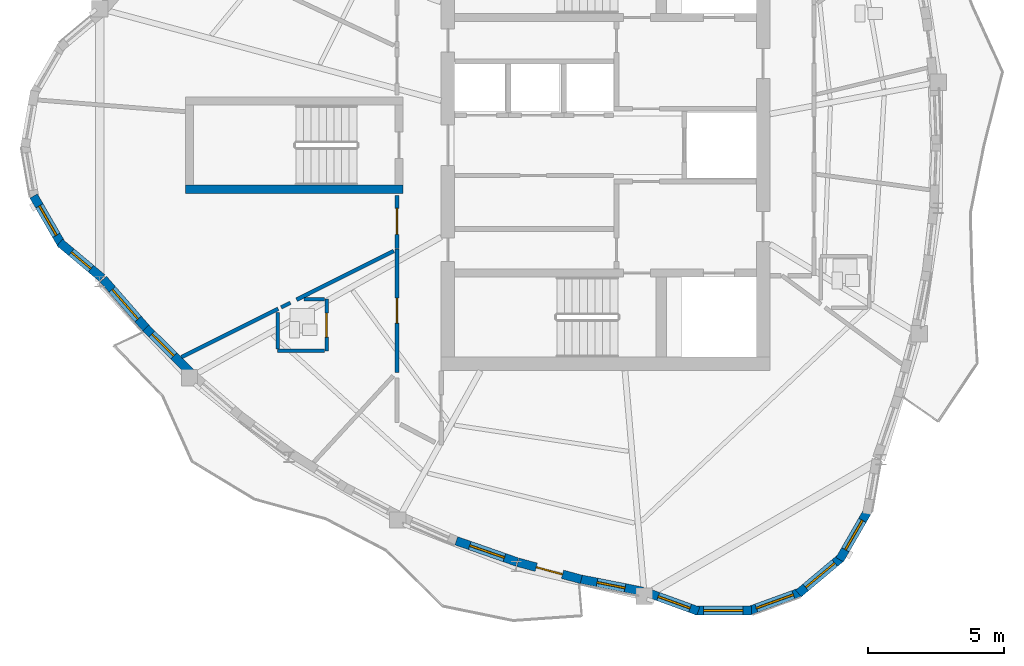
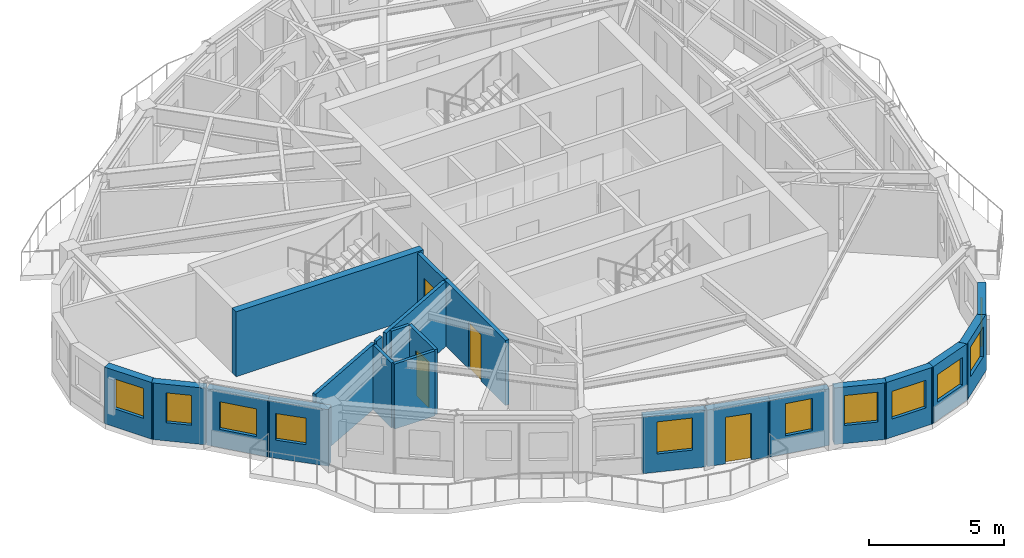
# One storey, part 3 of 12: 22 walls, 11 windows, 4 doors, 15 openings.
"""IFC4 building model written with IfcOpenShell, lengths in metres."""

from ifc_helpers import new_model, si_unit, direction, frame, frame_2d, origin, place, context, subcontext, project, spatial, rectangle, extrude, source, transform, mapped, material, layer, layer_set, type_object, element, fill, save


model = new_model("IFC4")

# Units and contexts
model_context = context("Model", 3, precision=1e-05, world=origin(), true_north=direction((0.0, 1.0)))
body_context = subcontext(model_context, "Body", "Model", "MODEL_VIEW")
ifc_project = project(units=[si_unit("LENGTHUNIT", "METRE"), si_unit("AREAUNIT", "SQUARE_METRE"), si_unit("VOLUMEUNIT", "CUBIC_METRE"), si_unit("PLANEANGLEUNIT", "RADIAN"), si_unit("MASSUNIT", "GRAM", prefix="KILO")], contexts=[model_context])

# Site, building, storey
site_placement = place(None, origin())
site = spatial("IfcSite", under=ifc_project, at=site_placement, CompositionType="ELEMENT")
building_placement = place(site_placement, origin())
building = spatial("IfcBuilding", under=site, at=building_placement, Name="Qafzar Sky-Pleat Residences", CompositionType="ELEMENT")
storey_placement = place(building_placement, frame((0.0, 0.0, 202.0)))
storey = spatial("IfcBuildingStorey", under=building, at=storey_placement, Name="L60", CompositionType="ELEMENT", Elevation=202.0)

# Wall, opening, door
ifc_material_1 = material(Name="Acoustic gypsum plasterboard partition", Category="gypsum")
ifc_layer_1 = layer(ifc_material_1, 0.159912109375)
ifc_layer_set_1 = layer_set([ifc_layer_1], Name="Acoustic gypsum plasterboard partition")
wall_type_1 = type_object("IfcWallType", Name="PART-COR-160", PredefinedType="PARTITIONING", material=ifc_layer_set_1)
wall_1_placement = place(storey_placement, frame((22.679931640625, 17.64111328125, 0.0), z_axis=(0.0, 0.0, 1.0), x_axis=(0.0, 1.0, 0.0)))
wall_1 = element("IfcWall", 1, at=wall_1_placement, inside=storey, type_object=wall_type_1, Name="L60 Partition Wall PART-L60-PW-003", PredefinedType="PARTITIONING", context=body_context, shape_type="SweptSolid", body=[
    extrude(rectangle(XDim=4.539794921875, YDim=0.159912109375, at=frame_2d((2.27001953125, 0.0))), origin(), (0.0, 0.0, 1.0), 2.93505859375),
])
opening_1_placement = place(wall_1_placement, frame((1.81298828125, 0.0, 0.0)))
opening_1 = element("IfcOpeningElement", 2, at=opening_1_placement, cuts=wall_1, Name="Opening ID-04", PredefinedType="OPENING", context=body_context, shape_type="SweptSolid", body=[
    extrude(rectangle(XDim=0.919921875, YDim=2.10009765625, at=frame_2d((0.4599609375, 1.050048828125))), frame((0.0, 0.08984375, 0.0), z_axis=(0.0, -1.0, 0.0), x_axis=(1.0, 0.0, 0.0)), (0.0, 0.0, 1.0), 0.179931640625),
])
ifc_material_2 = material(Name="Timber-faced fire door", Category="wood")
door_type_1 = type_object("IfcDoorType", Name="DR-BED-920", OperationType="NOTDEFINED", PredefinedType="DOOR", material=ifc_material_2)
shared_shape_1 = source(origin(), body_context, "Body", "SweptSolid", [
    extrude(rectangle(XDim=0.919921875, YDim=2.10009765625, at=frame_2d((0.4599609375, 1.050048828125))), frame((0.0, 0.02490234375, 0.0), z_axis=(0.0, -1.0, 0.0), x_axis=(1.0, 0.0, 0.0)), (0.0, 0.0, 1.0), 0.050048828125),
])
door_1_placement = place(opening_1_placement, origin())
door_1 = element("IfcDoor", 3, at=door_1_placement, inside=storey, type_object=door_type_1, Name="L60 Co-Living Bedroom 1 Door", OperationType="SINGLE_SWING_RIGHT", OverallHeight=2.10009765625, OverallWidth=0.919921875, PredefinedType="DOOR", context=body_context, shape_type="MappedRepresentation", body=[
    mapped(shared_shape_1, transform((0.0, 0.0, 0.0), x_axis=(1.0, 0.0, 0.0), y_axis=(0.0, 1.0, 0.0), z_axis=(0.0, 0.0, 1.0), scale=1.0)),
])
fill(opening_1, door_1)

wall_2_placement = place(storey_placement, frame((22.679931640625, 22.196044921875, 0.0), z_axis=(0.0, 0.0, 1.0), x_axis=(0.0, 1.0, 0.0)))
wall_2 = element("IfcWall", 4, at=wall_2_placement, inside=storey, type_object=wall_type_1, Name="L60 Partition Wall PART-L60-PW-011", PredefinedType="PARTITIONING", context=body_context, shape_type="SweptSolid", body=[
    extrude(rectangle(XDim=1.953857421875, YDim=0.159912109375, at=frame_2d((0.97705078125, 0.0))), origin(), (0.0, 0.0, 1.0), 2.93505859375),
])
opening_2_placement = place(wall_2_placement, frame((0.51904296875, 0.0, 0.0)))
opening_2 = element("IfcOpeningElement", 5, at=opening_2_placement, cuts=wall_2, Name="Opening ID-06", PredefinedType="OPENING", context=body_context, shape_type="SweptSolid", body=[
    extrude(rectangle(XDim=0.9599609375, YDim=2.10009765625, at=frame_2d((0.47998046875, 1.050048828125))), frame((0.0, 0.08984375, 0.0), z_axis=(0.0, -1.0, 0.0), x_axis=(1.0, 0.0, 0.0)), (0.0, 0.0, 1.0), 0.179931640625),
])
door_type_2 = type_object("IfcDoorType", Name="DR-STD-960", OperationType="NOTDEFINED", PredefinedType="DOOR", material=ifc_material_2)
shared_shape_2 = source(origin(), body_context, "Body", "SweptSolid", [
    extrude(rectangle(XDim=0.9599609375, YDim=2.10009765625, at=frame_2d((0.47998046875, 1.050048828125))), frame((0.0, 0.02490234375, 0.0), z_axis=(0.0, -1.0, 0.0), x_axis=(1.0, 0.0, 0.0)), (0.0, 0.0, 1.0), 0.050048828125),
])
door_2_placement = place(opening_2_placement, origin())
door_2 = element("IfcDoor", 6, at=door_2_placement, inside=storey, type_object=door_type_2, Name="L60 Wellness Yoga Studio Door", OperationType="SINGLE_SWING_RIGHT", OverallHeight=2.10009765625, OverallWidth=0.9599609375, PredefinedType="DOOR", context=body_context, shape_type="MappedRepresentation", body=[
    mapped(shared_shape_2, transform((0.0, 0.0, 0.0), x_axis=(1.0, 0.0, 0.0), y_axis=(0.0, 1.0, 0.0), z_axis=(0.0, 0.0, 1.0), scale=1.0)),
])
fill(opening_2, door_2)

# Walls
ifc_layer_2 = layer(ifc_material_1, 0.14501953125)
ifc_layer_set_2 = layer_set([ifc_layer_2], Name="Acoustic gypsum plasterboard partition")
wall_type_2 = type_object("IfcWallType", Name="PART-UNIT-145", PredefinedType="PARTITIONING", material=ifc_layer_set_2)
wall_3_placement = place(storey_placement, frame((18.98291015625, 20.31591796875, 0.0), z_axis=(0.0, 0.0, 1.0), x_axis=(0.894366146285, 0.447335664104, 0.0)))
element("IfcWall", 7, at=wall_3_placement, inside=storey, type_object=wall_type_2, Name="L60 Partition Wall PART-L60-PW-024", PredefinedType="PARTITIONING", context=body_context, shape_type="SweptSolid", body=[
    extrude(rectangle(XDim=4.0, YDim=0.14501953125, at=frame_2d((2.0, 0.0))), origin(), (0.0, 0.0, 1.0), 2.93505859375),
])
wall_4_placement = place(storey_placement, frame((14.75390625, 18.201904296875, 0.0), z_axis=(0.0, 0.0, 1.0), x_axis=(0.894464106055, 0.44713975777, 0.0)))
element("IfcWall", 8, at=wall_4_placement, inside=storey, type_object=wall_type_2, Name="L60 Partition Wall PART-L60-PW-027", PredefinedType="PARTITIONING", context=body_context, shape_type="SweptSolid", body=[
    extrude(rectangle(XDim=3.9677734375, YDim=0.14501953125, at=frame_2d((1.98388671875, 0.0))), origin(), (0.0, 0.0, 1.0), 2.93505859375),
])

# Wall, opening, door
ifc_material_3 = material(Name="Moisture-resistant gypsum partition", Category="gypsum")
ifc_layer_3 = layer(ifc_material_3, 0.1298828125)
ifc_layer_set_3 = layer_set([ifc_layer_3], Name="Moisture-resistant gypsum partition")
wall_type_3 = type_object("IfcWallType", Name="PART-WET-130", PredefinedType="PARTITIONING", material=ifc_layer_set_3)
wall_5_placement = place(storey_placement, frame((20.087890625, 18.430908203125, 0.0), z_axis=(0.0, 0.0, 1.0), x_axis=(0.0, 1.0, 0.0)))
wall_5 = element("IfcWall", 9, at=wall_5_placement, inside=storey, type_object=wall_type_3, Name="L60 Partition Wall PART-L60-PW-012", PredefinedType="PARTITIONING", context=body_context, shape_type="SweptSolid", body=[
    extrude(rectangle(XDim=1.900146484375, YDim=0.1298828125, at=frame_2d((0.9501953125, 0.0))), origin(), (0.0, 0.0, 1.0), 2.93505859375),
])
opening_3_placement = place(wall_5_placement, frame((0.510009765625, 0.0, 0.0)))
opening_3 = element("IfcOpeningElement", 10, at=opening_3_placement, cuts=wall_5, Name="Opening ID-07", PredefinedType="OPENING", context=body_context, shape_type="SweptSolid", body=[
    extrude(rectangle(XDim=0.8798828125, YDim=2.050048828125, at=frame_2d((0.43994140625, 1.02490234375))), frame((0.0, 0.074951171875, 0.0), z_axis=(0.0, -1.0, 0.0), x_axis=(1.0, 0.0, 0.0)), (0.0, 0.0, 1.0), 0.14990234375),
])
door_type_3 = type_object("IfcDoorType", Name="DR-WET-880", OperationType="NOTDEFINED", PredefinedType="DOOR", material=ifc_material_2)
shared_shape_3 = source(origin(), body_context, "Body", "SweptSolid", [
    extrude(rectangle(XDim=0.8798828125, YDim=2.050048828125, at=frame_2d((0.43994140625, 1.02490234375))), frame((0.0, 0.02490234375, 0.0), z_axis=(0.0, -1.0, 0.0), x_axis=(1.0, 0.0, 0.0)), (0.0, 0.0, 1.0), 0.050048828125),
])
door_3_placement = place(opening_3_placement, origin())
door_3 = element("IfcDoor", 11, at=door_3_placement, inside=storey, type_object=door_type_3, Name="L60 En-suite Bathroom 1 Door", OperationType="SINGLE_SWING_LEFT", OverallHeight=2.050048828125, OverallWidth=0.8798828125, PredefinedType="DOOR", context=body_context, shape_type="MappedRepresentation", body=[
    mapped(shared_shape_3, transform((0.0, 0.0, 0.0), x_axis=(1.0, 0.0, 0.0), y_axis=(0.0, 1.0, 0.0), z_axis=(0.0, 0.0, 1.0), scale=1.0)),
])
fill(opening_3, door_3)

# Walls
wall_6_placement = place(storey_placement, frame((18.2880859375, 18.430908203125, 0.0), z_axis=(0.0, 0.0, 1.0), x_axis=(1.0, 0.0, 0.0)))
element("IfcWall", 12, at=wall_6_placement, inside=storey, type_object=wall_type_3, Name="L60 Partition Wall PART-L60-PW-034", PredefinedType="PARTITIONING", context=body_context, shape_type="SweptSolid", body=[
    extrude(rectangle(XDim=1.726806640625, YDim=0.1298828125, at=frame_2d((0.86328125, 0.0))), origin(), (0.0, 0.0, 1.0), 2.93505859375),
])
wall_7_placement = place(storey_placement, frame((18.2880859375, 18.50390625, 0.0), z_axis=(0.0, 0.0, 1.0), x_axis=(0.0, 1.0, 0.0)))
element("IfcWall", 13, at=wall_7_placement, inside=storey, type_object=wall_type_3, Name="L60 Partition Wall PART-L60-PW-042", PredefinedType="PARTITIONING", context=body_context, shape_type="SweptSolid", body=[
    extrude(rectangle(XDim=1.343505859375, YDim=0.1298828125, at=frame_2d((0.671875, 0.0))), origin(), (0.0, 0.0, 1.0), 2.93505859375),
])
wall_8_placement = place(storey_placement, frame((19.2529296875, 20.3310546875, 0.0), z_axis=(0.0, 0.0, 1.0), x_axis=(1.0, 0.0, 0.0)))
element("IfcWall", 14, at=wall_8_placement, inside=storey, type_object=wall_type_3, Name="L60 Partition Wall PART-L60-PW-048", PredefinedType="PARTITIONING", context=body_context, shape_type="SweptSolid", body=[
    extrude(rectangle(XDim=0.761962890625, YDim=0.1298828125, at=frame_2d((0.380859375, 0.0))), origin(), (0.0, 0.0, 1.0), 2.93505859375),
])
wall_9_placement = place(storey_placement, frame((18.41748046875, 20.033203125, 0.0), z_axis=(0.0, 0.0, 1.0), x_axis=(0.894427191, 0.4472135955, 0.0)))
element("IfcWall", 15, at=wall_9_placement, inside=storey, type_object=wall_type_3, Name="L60 Partition Wall PART-L60-PW-049", PredefinedType="PARTITIONING", context=body_context, shape_type="SweptSolid", body=[
    extrude(rectangle(XDim=0.377197265625, YDim=0.1298828125, at=frame_2d((0.1884765625, 0.0))), origin(), (0.0, 0.0, 1.0), 2.93505859375),
])

# Wall, opening, window
ifc_material_4 = material(Name="Precast concrete C40/50 with honed Riyadh limestone", Category="concrete")
ifc_layer_4 = layer(ifc_material_4, 0.320068359375)
ifc_layer_set_4 = layer_set([ifc_layer_4], Name="Precast concrete C40/50 with honed Riyadh limestone")
wall_type_4 = type_object("IfcWallType", Name="WALL-EXT-320", PredefinedType="SOLIDWALL", material=ifc_layer_set_4)
wall_10_placement = place(storey_placement, frame((9.309326171875, 24.129150390625, 0.0), z_axis=(0.0, 0.0, 1.0), x_axis=(0.499995423472, -0.866028046028, 0.0)))
wall_10 = element("IfcWall", 16, at=wall_10_placement, inside=storey, type_object=wall_type_4, Name="L60 Limestone Facade Wall 5", PredefinedType="SOLIDWALL", context=body_context, shape_type="SweptSolid", body=[
    extrude(rectangle(XDim=2.09033203125, YDim=0.320068359375, at=frame_2d((1.045166015625, 0.0))), origin(), (0.0, 0.0, 1.0), 2.554931640625),
])
opening_4_placement = place(wall_10_placement, frame((0.420166015625, 0.0, 0.820068359375)))
opening_4 = element("IfcOpeningElement", 17, at=opening_4_placement, cuts=wall_10, Name="Opening WN-11", PredefinedType="OPENING", context=body_context, shape_type="SweptSolid", body=[
    extrude(rectangle(XDim=1.25, YDim=1.35009765625, at=frame_2d((0.625, 0.675048828125))), frame((0.0, 0.169921875, 0.0), z_axis=(0.0, -1.0, 0.0), x_axis=(1.0, 0.0, 0.0)), (0.0, 0.0, 1.0), 0.340087890625),
])
ifc_material_5 = material(Name="Solar-control low-E glass in bronze aluminium frame", Category="glass")
window_type_1 = type_object("IfcWindowType", Name="WIN-11", PartitioningType="SINGLE_PANEL", PredefinedType="WINDOW", material=ifc_material_5)
shared_shape_4 = source(origin(), body_context, "Body", "SweptSolid", [
    extrude(rectangle(XDim=1.25, YDim=1.35009765625, at=frame_2d((0.625, 0.675048828125))), frame((0.0, 0.030029296875, 0.0), z_axis=(0.0, -1.0, 0.0), x_axis=(1.0, 0.0, 0.0)), (0.0, 0.0, 1.0), 0.06005859375),
])
window_1_placement = place(opening_4_placement, origin())
window_1 = element("IfcWindow", 18, at=window_1_placement, inside=storey, type_object=window_type_1, Name="L60 Punched Facade Window 05", OverallHeight=1.35009765625, OverallWidth=1.25, PartitioningType="SINGLE_PANEL", PredefinedType="WINDOW", context=body_context, shape_type="MappedRepresentation", body=[
    mapped(shared_shape_4, transform((0.0, 0.0, 0.0), x_axis=(1.0, 0.0, 0.0), y_axis=(0.0, 1.0, 0.0), z_axis=(0.0, 0.0, 1.0), scale=1.0)),
])
fill(opening_4, window_1)

wall_11_placement = place(storey_placement, frame((10.2705078125, 22.418701171875, 0.0), z_axis=(0.0, 0.0, 1.0), x_axis=(0.766099948115, -0.642721455608, 0.0)))
wall_11 = element("IfcWall", 19, at=wall_11_placement, inside=storey, type_object=wall_type_4, Name="L60 Limestone Facade Wall 6", PredefinedType="SOLIDWALL", context=body_context, shape_type="SweptSolid", body=[
    extrude(rectangle(XDim=2.0322265625, YDim=0.320068359375, at=frame_2d((1.01611328125, 0.0))), origin(), (0.0, 0.0, 1.0), 2.554931640625),
])
opening_5_placement = place(wall_11_placement, frame((0.55126953125, 0.0, 0.820068359375)))
opening_5 = element("IfcOpeningElement", 20, at=opening_5_placement, cuts=wall_11, Name="Opening WN-12", PredefinedType="OPENING", context=body_context, shape_type="SweptSolid", body=[
    extrude(rectangle(XDim=0.949951171875, YDim=1.35009765625, at=frame_2d((0.47509765625, 0.675048828125))), frame((0.0, 0.169921875, 0.0), z_axis=(0.0, -1.0, 0.0), x_axis=(1.0, 0.0, 0.0)), (0.0, 0.0, 1.0), 0.340087890625),
])
window_type_2 = type_object("IfcWindowType", Name="WIN-12", PartitioningType="SINGLE_PANEL", PredefinedType="WINDOW", material=ifc_material_5)
shared_shape_5 = source(origin(), body_context, "Body", "SweptSolid", [
    extrude(rectangle(XDim=0.949951171875, YDim=1.35009765625, at=frame_2d((0.47509765625, 0.675048828125))), frame((0.0, 0.030029296875, 0.0), z_axis=(0.0, -1.0, 0.0), x_axis=(1.0, 0.0, 0.0)), (0.0, 0.0, 1.0), 0.06005859375),
])
window_2_placement = place(opening_5_placement, origin())
window_2 = element("IfcWindow", 21, at=window_2_placement, inside=storey, type_object=window_type_2, Name="L60 Punched Facade Window 06", OverallHeight=1.35009765625, OverallWidth=0.949951171875, PartitioningType="SINGLE_PANEL", PredefinedType="WINDOW", context=body_context, shape_type="MappedRepresentation", body=[
    mapped(shared_shape_5, transform((0.0, 0.0, 0.0), x_axis=(1.0, 0.0, 0.0), y_axis=(0.0, 1.0, 0.0), z_axis=(0.0, 0.0, 1.0), scale=1.0)),
])
fill(opening_5, window_2)

wall_12_placement = place(storey_placement, frame((11.873779296875, 21.0673828125, 0.0), z_axis=(0.0, 0.0, 1.0), x_axis=(0.657571063417, -0.753392524888, 0.0)))
wall_12 = element("IfcWall", 22, at=wall_12_placement, inside=storey, type_object=wall_type_4, Name="L60 Limestone Facade Wall 7", PredefinedType="SOLIDWALL", context=body_context, shape_type="SweptSolid", body=[
    extrude(rectangle(XDim=2.4638671875, YDim=0.320068359375, at=frame_2d((1.23193359375, 0.0))), origin(), (0.0, 0.0, 1.0), 2.554931640625),
])
opening_6_placement = place(wall_12_placement, frame((0.496826171875, 0.0, 0.820068359375)))
opening_6 = element("IfcOpeningElement", 23, at=opening_6_placement, cuts=wall_12, Name="Opening WN-15", PredefinedType="OPENING", context=body_context, shape_type="SweptSolid", body=[
    extrude(rectangle(XDim=1.449951171875, YDim=1.25, at=frame_2d((0.72509765625, 0.625))), frame((0.0, 0.169921875, 0.0), z_axis=(0.0, -1.0, 0.0), x_axis=(1.0, 0.0, 0.0)), (0.0, 0.0, 1.0), 0.340087890625),
])
window_type_3 = type_object("IfcWindowType", Name="WIN-15", PartitioningType="SINGLE_PANEL", PredefinedType="WINDOW", material=ifc_material_5)
shared_shape_6 = source(origin(), body_context, "Body", "SweptSolid", [
    extrude(rectangle(XDim=1.449951171875, YDim=1.25, at=frame_2d((0.72509765625, 0.625))), frame((0.0, 0.030029296875, 0.0), z_axis=(0.0, -1.0, 0.0), x_axis=(1.0, 0.0, 0.0)), (0.0, 0.0, 1.0), 0.06005859375),
])
window_3_placement = place(opening_6_placement, origin())
window_3 = element("IfcWindow", 24, at=window_3_placement, inside=storey, type_object=window_type_3, Name="L60 Punched Facade Window 07", OverallHeight=1.25, OverallWidth=1.449951171875, PartitioningType="SINGLE_PANEL", PredefinedType="WINDOW", context=body_context, shape_type="MappedRepresentation", body=[
    mapped(shared_shape_6, transform((0.0, 0.0, 0.0), x_axis=(1.0, 0.0, 0.0), y_axis=(0.0, 1.0, 0.0), z_axis=(0.0, 0.0, 1.0), scale=1.0)),
])
fill(opening_6, window_3)

wall_13_placement = place(storey_placement, frame((13.434326171875, 19.27490234375, 0.0), z_axis=(0.0, 0.0, 1.0), x_axis=(0.708408377073, -0.705802784985, 0.0)))
wall_13 = element("IfcWall", 25, at=wall_13_placement, inside=storey, type_object=wall_type_4, Name="L60 Limestone Facade Wall 8", PredefinedType="SOLIDWALL", context=body_context, shape_type="SweptSolid", body=[
    extrude(rectangle(XDim=2.342529296875, YDim=0.320068359375, at=frame_2d((1.17138671875, 0.0))), origin(), (0.0, 0.0, 1.0), 2.554931640625),
])
opening_7_placement = place(wall_13_placement, frame((0.3076171875, 0.0, 0.820068359375)))
opening_7 = element("IfcOpeningElement", 26, at=opening_7_placement, cuts=wall_13, Name="Opening WN-16", PredefinedType="OPENING", context=body_context, shape_type="SweptSolid", body=[
    extrude(rectangle(XDim=1.14990234375, YDim=1.199951171875, at=frame_2d((0.574951171875, 0.60009765625))), frame((0.0, 0.169921875, 0.0), z_axis=(0.0, -1.0, 0.0), x_axis=(1.0, 0.0, 0.0)), (0.0, 0.0, 1.0), 0.340087890625),
])
window_type_4 = type_object("IfcWindowType", Name="WIN-16", PartitioningType="SINGLE_PANEL", PredefinedType="WINDOW", material=ifc_material_5)
shared_shape_7 = source(origin(), body_context, "Body", "SweptSolid", [
    extrude(rectangle(XDim=1.14990234375, YDim=1.199951171875, at=frame_2d((0.574951171875, 0.60009765625))), frame((0.0, 0.030029296875, 0.0), z_axis=(0.0, -1.0, 0.0), x_axis=(1.0, 0.0, 0.0)), (0.0, 0.0, 1.0), 0.06005859375),
])
window_4_placement = place(opening_7_placement, origin())
window_4 = element("IfcWindow", 27, at=window_4_placement, inside=storey, type_object=window_type_4, Name="L60 Punched Facade Window 08", OverallHeight=1.199951171875, OverallWidth=1.14990234375, PartitioningType="SINGLE_PANEL", PredefinedType="WINDOW", context=body_context, shape_type="MappedRepresentation", body=[
    mapped(shared_shape_7, transform((0.0, 0.0, 0.0), x_axis=(1.0, 0.0, 0.0), y_axis=(0.0, 1.0, 0.0), z_axis=(0.0, 0.0, 1.0), scale=1.0)),
])
fill(opening_7, window_4)

wall_14_placement = place(storey_placement, frame((24.861572265625, 11.4423828125, 0.0), z_axis=(0.0, 0.0, 1.0), x_axis=(0.944124270014, -0.329589688508, 0.0)))
wall_14 = element("IfcWall", 28, at=wall_14_placement, inside=storey, type_object=wall_type_4, Name="L60 Limestone Facade Wall 14", PredefinedType="SOLIDWALL", context=body_context, shape_type="SweptSolid", body=[
    extrude(rectangle(XDim=2.373291015625, YDim=0.320068359375, at=frame_2d((1.1865234375, 0.0))), origin(), (0.0, 0.0, 1.0), 2.554931640625),
])
opening_8_placement = place(wall_14_placement, frame((0.521728515625, 0.0, 0.820068359375)))
opening_8 = element("IfcOpeningElement", 29, at=opening_8_placement, cuts=wall_14, Name="Opening WN-04", PredefinedType="OPENING", context=body_context, shape_type="SweptSolid", body=[
    extrude(rectangle(XDim=1.35009765625, YDim=1.449951171875, at=frame_2d((0.675048828125, 0.72509765625))), frame((0.0, 0.169921875, 0.0), z_axis=(0.0, -1.0, 0.0), x_axis=(1.0, 0.0, 0.0)), (0.0, 0.0, 1.0), 0.340087890625),
])
window_type_5 = type_object("IfcWindowType", Name="WIN-04", PartitioningType="SINGLE_PANEL", PredefinedType="WINDOW", material=ifc_material_5)
shared_shape_8 = source(origin(), body_context, "Body", "SweptSolid", [
    extrude(rectangle(XDim=1.35009765625, YDim=1.449951171875, at=frame_2d((0.675048828125, 0.72509765625))), frame((0.0, 0.030029296875, 0.0), z_axis=(0.0, -1.0, 0.0), x_axis=(1.0, 0.0, 0.0)), (0.0, 0.0, 1.0), 0.06005859375),
])
window_5_placement = place(opening_8_placement, origin())
window_5 = element("IfcWindow", 30, at=window_5_placement, inside=storey, type_object=window_type_5, Name="L60 Punched Facade Window 14", OverallHeight=1.449951171875, OverallWidth=1.35009765625, PartitioningType="SINGLE_PANEL", PredefinedType="WINDOW", context=body_context, shape_type="MappedRepresentation", body=[
    mapped(shared_shape_8, transform((0.0, 0.0, 0.0), x_axis=(1.0, 0.0, 0.0), y_axis=(0.0, 1.0, 0.0), z_axis=(0.0, 0.0, 1.0), scale=1.0)),
])
fill(opening_8, window_5)

# Wall, opening, door
wall_15_placement = place(storey_placement, frame((27.12939453125, 10.65185546875, 0.0), z_axis=(0.0, 0.0, 1.0), x_axis=(0.965456324807, -0.260564934114, 0.0)))
wall_15 = element("IfcWall", 31, at=wall_15_placement, inside=storey, type_object=wall_type_4, Name="L60 Limestone Facade Wall 15", PredefinedType="SOLIDWALL", context=body_context, shape_type="SweptSolid", body=[
    extrude(rectangle(XDim=2.41259765625, YDim=0.320068359375, at=frame_2d((1.206298828125, 0.0))), origin(), (0.0, 0.0, 1.0), 2.554931640625),
])
opening_9_placement = place(wall_15_placement, frame((0.6962890625, 0.0, 0.0)))
opening_9 = element("IfcOpeningElement", 32, at=opening_9_placement, cuts=wall_15, Name="Opening ED-05", PredefinedType="OPENING", context=body_context, shape_type="SweptSolid", body=[
    extrude(rectangle(XDim=1.0, YDim=2.10009765625, at=frame_2d((0.5, 1.050048828125))), frame((0.0, 0.169921875, 0.0), z_axis=(0.0, -1.0, 0.0), x_axis=(1.0, 0.0, 0.0)), (0.0, 0.0, 1.0), 0.340087890625),
])
ifc_material_6 = material(Name="Glazed bronze aluminium door", Category="aluminium")
door_type_4 = type_object("IfcDoorType", Name="DR-BAL-1000", OperationType="NOTDEFINED", PredefinedType="DOOR", material=ifc_material_6)
shared_shape_9 = source(origin(), body_context, "Body", "SweptSolid", [
    extrude(rectangle(XDim=1.0, YDim=2.10009765625, at=frame_2d((0.5, 1.050048828125))), frame((0.0, 0.02490234375, 0.0), z_axis=(0.0, -1.0, 0.0), x_axis=(1.0, 0.0, 0.0)), (0.0, 0.0, 1.0), 0.050048828125),
])
door_4_placement = place(opening_9_placement, origin())
door_4 = element("IfcDoor", 33, at=door_4_placement, inside=storey, type_object=door_type_4, Name="L60 Glazed Balcony Door 3", OperationType="SINGLE_SWING_LEFT", OverallHeight=2.10009765625, OverallWidth=1.0, PredefinedType="DOOR", context=body_context, shape_type="MappedRepresentation", body=[
    mapped(shared_shape_9, transform((0.0, 0.0, 0.0), x_axis=(1.0, 0.0, 0.0), y_axis=(0.0, 1.0, 0.0), z_axis=(0.0, 0.0, 1.0), scale=1.0)),
])
fill(opening_9, door_4)

# Wall, opening, window
wall_16_placement = place(storey_placement, frame((29.373779296875, 10.04296875, 0.0), z_axis=(0.0, 0.0, 1.0), x_axis=(0.981222630784, -0.192878585739, 0.0)))
wall_16 = element("IfcWall", 34, at=wall_16_placement, inside=storey, type_object=wall_type_4, Name="L60 Limestone Facade Wall 16", PredefinedType="SOLIDWALL", context=body_context, shape_type="SweptSolid", body=[
    extrude(rectangle(XDim=2.3935546875, YDim=0.320068359375, at=frame_2d((1.19677734375, 0.0))), origin(), (0.0, 0.0, 1.0), 2.554931640625),
])
opening_10_placement = place(wall_16_placement, frame((0.6767578125, 0.0, 0.820068359375)))
opening_10 = element("IfcOpeningElement", 35, at=opening_10_placement, cuts=wall_16, Name="Opening WN-06", PredefinedType="OPENING", context=body_context, shape_type="SweptSolid", body=[
    extrude(rectangle(XDim=1.050048828125, YDim=1.449951171875, at=frame_2d((0.52490234375, 0.72509765625))), frame((0.0, 0.169921875, 0.0), z_axis=(0.0, -1.0, 0.0), x_axis=(1.0, 0.0, 0.0)), (0.0, 0.0, 1.0), 0.340087890625),
])
window_type_6 = type_object("IfcWindowType", Name="WIN-06", PartitioningType="SINGLE_PANEL", PredefinedType="WINDOW", material=ifc_material_5)
shared_shape_10 = source(origin(), body_context, "Body", "SweptSolid", [
    extrude(rectangle(XDim=1.050048828125, YDim=1.449951171875, at=frame_2d((0.52490234375, 0.72509765625))), frame((0.0, 0.030029296875, 0.0), z_axis=(0.0, -1.0, 0.0), x_axis=(1.0, 0.0, 0.0)), (0.0, 0.0, 1.0), 0.06005859375),
])
window_6_placement = place(opening_10_placement, origin())
window_6 = element("IfcWindow", 36, at=window_6_placement, inside=storey, type_object=window_type_6, Name="L60 Punched Facade Window 16", OverallHeight=1.449951171875, OverallWidth=1.050048828125, PartitioningType="SINGLE_PANEL", PredefinedType="WINDOW", context=body_context, shape_type="MappedRepresentation", body=[
    mapped(shared_shape_10, transform((0.0, 0.0, 0.0), x_axis=(1.0, 0.0, 0.0), y_axis=(0.0, 1.0, 0.0), z_axis=(0.0, 0.0, 1.0), scale=1.0)),
])
fill(opening_10, window_6)

wall_17_placement = place(storey_placement, frame((31.919189453125, 9.526611328125, 0.0), z_axis=(0.0, 0.0, 1.0), x_axis=(0.939695306975, -0.342012762991, 0.0)))
wall_17 = element("IfcWall", 37, at=wall_17_placement, inside=storey, type_object=wall_type_4, Name="L60 Limestone Facade Wall 17", PredefinedType="SOLIDWALL", context=body_context, shape_type="SweptSolid", body=[
    extrude(rectangle(XDim=1.96240234375, YDim=0.320068359375, at=frame_2d((0.981201171875, 0.0))), origin(), (0.0, 0.0, 1.0), 2.554931640625),
])
opening_11_placement = place(wall_17_placement, frame((0.39111328125, 0.0, 0.820068359375)))
opening_11 = element("IfcOpeningElement", 38, at=opening_11_placement, cuts=wall_17, Name="Opening WN-11", PredefinedType="OPENING", context=body_context, shape_type="SweptSolid", body=[
    extrude(rectangle(XDim=1.25, YDim=1.35009765625, at=frame_2d((0.625, 0.675048828125))), frame((0.0, 0.169921875, 0.0), z_axis=(0.0, -1.0, 0.0), x_axis=(1.0, 0.0, 0.0)), (0.0, 0.0, 1.0), 0.340087890625),
])
window_7_placement = place(opening_11_placement, origin())
window_7 = element("IfcWindow", 39, at=window_7_placement, inside=storey, type_object=window_type_1, Name="L60 Punched Facade Window 17", OverallHeight=1.35009765625, OverallWidth=1.25, PartitioningType="SINGLE_PANEL", PredefinedType="WINDOW", context=body_context, shape_type="MappedRepresentation", body=[
    mapped(shared_shape_4, transform((0.0, 0.0, 0.0), x_axis=(1.0, 0.0, 0.0), y_axis=(0.0, 1.0, 0.0), z_axis=(0.0, 0.0, 1.0), scale=1.0)),
])
fill(opening_11, window_7)

wall_18_placement = place(storey_placement, frame((33.634765625, 8.8779296875, 0.0), z_axis=(0.0, 0.0, 1.0), x_axis=(1.0, 0.0, 0.0)))
wall_18 = element("IfcWall", 40, at=wall_18_placement, inside=storey, type_object=wall_type_4, Name="L60 Limestone Facade Wall 18", PredefinedType="SOLIDWALL", context=body_context, shape_type="SweptSolid", body=[
    extrude(rectangle(XDim=2.09033203125, YDim=0.320068359375, at=frame_2d((1.045166015625, 0.0))), origin(), (0.0, 0.0, 1.0), 2.554931640625),
])
opening_12_placement = place(wall_18_placement, frame((0.3203125, 0.0, 0.820068359375)))
opening_12 = element("IfcOpeningElement", 41, at=opening_12_placement, cuts=wall_18, Name="Opening WN-15", PredefinedType="OPENING", context=body_context, shape_type="SweptSolid", body=[
    extrude(rectangle(XDim=1.449951171875, YDim=1.25, at=frame_2d((0.72509765625, 0.625))), frame((0.0, 0.169921875, 0.0), z_axis=(0.0, -1.0, 0.0), x_axis=(1.0, 0.0, 0.0)), (0.0, 0.0, 1.0), 0.340087890625),
])
window_8_placement = place(opening_12_placement, origin())
window_8 = element("IfcWindow", 42, at=window_8_placement, inside=storey, type_object=window_type_3, Name="L60 Punched Facade Window 18", OverallHeight=1.25, OverallWidth=1.449951171875, PartitioningType="SINGLE_PANEL", PredefinedType="WINDOW", context=body_context, shape_type="MappedRepresentation", body=[
    mapped(shared_shape_6, transform((0.0, 0.0, 0.0), x_axis=(1.0, 0.0, 0.0), y_axis=(0.0, 1.0, 0.0), z_axis=(0.0, 0.0, 1.0), scale=1.0)),
])
fill(opening_12, window_8)

wall_19_placement = place(storey_placement, frame((35.5966796875, 8.85546875, 0.0), z_axis=(0.0, 0.0, 1.0), x_axis=(0.939711556618, 0.341968113072, 0.0)))
wall_19 = element("IfcWall", 43, at=wall_19_placement, inside=storey, type_object=wall_type_4, Name="L60 Limestone Facade Wall 19", PredefinedType="SOLIDWALL", context=body_context, shape_type="SweptSolid", body=[
    extrude(rectangle(XDim=2.09033203125, YDim=0.320068359375, at=frame_2d((1.045166015625, 0.0))), origin(), (0.0, 0.0, 1.0), 2.554931640625),
])
opening_13_placement = place(wall_19_placement, frame((0.3203125, 0.0, 0.820068359375)))
opening_13 = element("IfcOpeningElement", 44, at=opening_13_placement, cuts=wall_19, Name="Opening WN-15", PredefinedType="OPENING", context=body_context, shape_type="SweptSolid", body=[
    extrude(rectangle(XDim=1.449951171875, YDim=1.25, at=frame_2d((0.72509765625, 0.625))), frame((0.0, 0.169921875, 0.0), z_axis=(0.0, -1.0, 0.0), x_axis=(1.0, 0.0, 0.0)), (0.0, 0.0, 1.0), 0.340087890625),
])
window_9_placement = place(opening_13_placement, origin())
window_9 = element("IfcWindow", 45, at=window_9_placement, inside=storey, type_object=window_type_3, Name="L60 Punched Facade Window 19", OverallHeight=1.25, OverallWidth=1.449951171875, PartitioningType="SINGLE_PANEL", PredefinedType="WINDOW", context=body_context, shape_type="MappedRepresentation", body=[
    mapped(shared_shape_6, transform((0.0, 0.0, 0.0), x_axis=(1.0, 0.0, 0.0), y_axis=(0.0, 1.0, 0.0), z_axis=(0.0, 0.0, 1.0), scale=1.0)),
])
fill(opening_13, window_9)

wall_20_placement = place(storey_placement, frame((37.447998046875, 9.505126953125, 0.0), z_axis=(0.0, 0.0, 1.0), x_axis=(0.766082082368, 0.642742750308, 0.0)))
wall_20 = element("IfcWall", 46, at=wall_20_placement, inside=storey, type_object=wall_type_4, Name="L60 Limestone Facade Wall 20", PredefinedType="SOLIDWALL", context=body_context, shape_type="SweptSolid", body=[
    extrude(rectangle(XDim=2.09033203125, YDim=0.320068359375, at=frame_2d((1.045166015625, 0.0))), origin(), (0.0, 0.0, 1.0), 2.554931640625),
])
opening_14_placement = place(wall_20_placement, frame((0.34521484375, 0.0, 0.820068359375)))
opening_14 = element("IfcOpeningElement", 47, at=opening_14_placement, cuts=wall_20, Name="Opening WN-10", PredefinedType="OPENING", context=body_context, shape_type="SweptSolid", body=[
    extrude(rectangle(XDim=1.39990234375, YDim=1.35009765625, at=frame_2d((0.699951171875, 0.675048828125))), frame((0.0, 0.169921875, 0.0), z_axis=(0.0, -1.0, 0.0), x_axis=(1.0, 0.0, 0.0)), (0.0, 0.0, 1.0), 0.340087890625),
])
window_type_7 = type_object("IfcWindowType", Name="WIN-10", PartitioningType="SINGLE_PANEL", PredefinedType="WINDOW", material=ifc_material_5)
shared_shape_11 = source(origin(), body_context, "Body", "SweptSolid", [
    extrude(rectangle(XDim=1.39990234375, YDim=1.35009765625, at=frame_2d((0.699951171875, 0.675048828125))), frame((0.0, 0.030029296875, 0.0), z_axis=(0.0, -1.0, 0.0), x_axis=(1.0, 0.0, 0.0)), (0.0, 0.0, 1.0), 0.06005859375),
])
window_10_placement = place(opening_14_placement, origin())
window_10 = element("IfcWindow", 48, at=window_10_placement, inside=storey, type_object=window_type_7, Name="L60 Punched Facade Window 20", OverallHeight=1.35009765625, OverallWidth=1.39990234375, PartitioningType="SINGLE_PANEL", PredefinedType="WINDOW", context=body_context, shape_type="MappedRepresentation", body=[
    mapped(shared_shape_11, transform((0.0, 0.0, 0.0), x_axis=(1.0, 0.0, 0.0), y_axis=(0.0, 1.0, 0.0), z_axis=(0.0, 0.0, 1.0), scale=1.0)),
])
fill(opening_14, window_10)

wall_21_placement = place(storey_placement, frame((38.965576171875, 10.748779296875, 0.0), z_axis=(0.0, 0.0, 1.0), x_axis=(0.49990781971, 0.866078617559, 0.0)))
wall_21 = element("IfcWall", 49, at=wall_21_placement, inside=storey, type_object=wall_type_4, Name="L60 Limestone Facade Wall 21", PredefinedType="SOLIDWALL", context=body_context, shape_type="SweptSolid", body=[
    extrude(rectangle(XDim=2.09033203125, YDim=0.320068359375, at=frame_2d((1.045166015625, 0.0))), origin(), (0.0, 0.0, 1.0), 2.554931640625),
])
opening_15_placement = place(wall_21_placement, frame((0.420166015625, 0.0, 0.820068359375)))
opening_15 = element("IfcOpeningElement", 50, at=opening_15_placement, cuts=wall_21, Name="Opening WN-11", PredefinedType="OPENING", context=body_context, shape_type="SweptSolid", body=[
    extrude(rectangle(XDim=1.25, YDim=1.35009765625, at=frame_2d((0.625, 0.675048828125))), frame((0.0, 0.169921875, 0.0), z_axis=(0.0, -1.0, 0.0), x_axis=(1.0, 0.0, 0.0)), (0.0, 0.0, 1.0), 0.340087890625),
])
window_11_placement = place(opening_15_placement, origin())
window_11 = element("IfcWindow", 51, at=window_11_placement, inside=storey, type_object=window_type_1, Name="L60 Punched Facade Window 21", OverallHeight=1.35009765625, OverallWidth=1.25, PartitioningType="SINGLE_PANEL", PredefinedType="WINDOW", context=body_context, shape_type="MappedRepresentation", body=[
    mapped(shared_shape_4, transform((0.0, 0.0, 0.0), x_axis=(1.0, 0.0, 0.0), y_axis=(0.0, 1.0, 0.0), z_axis=(0.0, 0.0, 1.0), scale=1.0)),
])
fill(opening_15, window_11)

# Wall
ifc_material_7 = material(Name="Concrete C60/75", Category="concrete")
ifc_layer_5 = layer(ifc_material_7, 0.300048828125)
ifc_layer_set_5 = layer_set([ifc_layer_5], Name="Concrete C60/75")
wall_type_5 = type_object("IfcWallType", Name="WALL-SHEAR-300", PredefinedType="SHEAR", material=ifc_layer_set_5)
wall_22_placement = place(storey_placement, frame((14.89990234375, 24.375, 0.0), z_axis=(0.0, 0.0, 1.0), x_axis=(1.0, 0.0, 0.0)))
element("IfcWall", 52, at=wall_22_placement, inside=storey, type_object=wall_type_5, Name="L60 ST3 wall S", PredefinedType="SHEAR", context=body_context, shape_type="SweptSolid", body=[
    extrude(rectangle(XDim=8.0, YDim=0.300048828125, at=frame_2d((4.0, 0.0))), origin(), (0.0, 0.0, 1.0), 2.93505859375),
])

save(model, "model.ifc")
